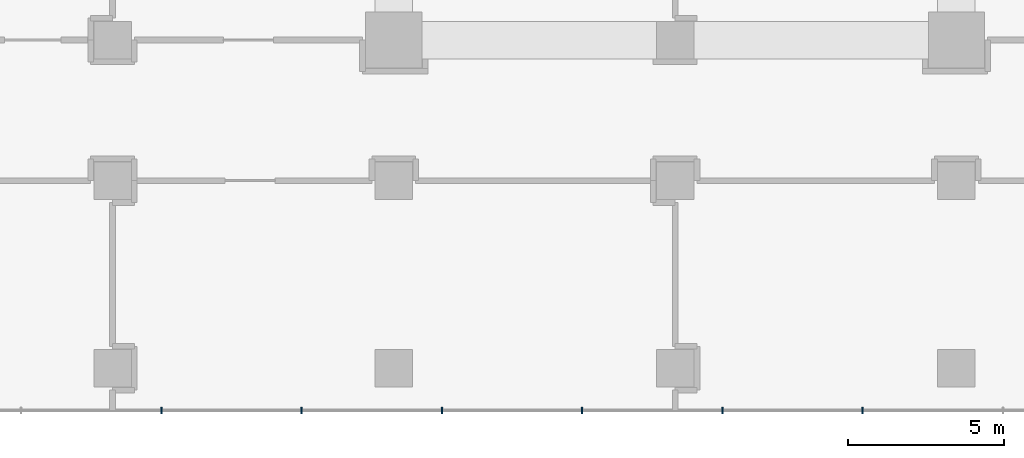
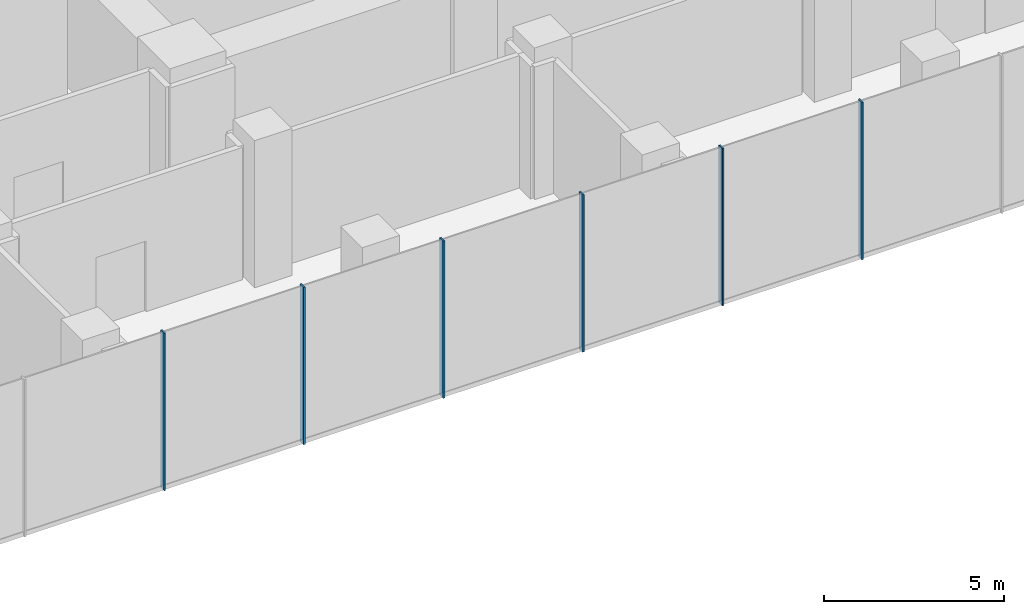
# One storey, part 4 of 36: 6 members, 1 element without a shape of its own.
"""IFC4 building model written with IfcOpenShell, lengths in metres."""

from ifc_helpers import new_model, si_unit, direction, frame, origin, origin_2d, place, context, subcontext, project, spatial, rectangle, extrude, material, layer, layer_set, material_profile, profile_set, type_object, element, aggregate, save


model = new_model("IFC4")

# Units and contexts
model_context = context("Model", 3, precision=1e-05, world=origin(), true_north=direction((0.0, 1.0)))
body_context = subcontext(model_context, "Body", "Model", "MODEL_VIEW")
ifc_project = project(units=[si_unit("LENGTHUNIT", "METRE"), si_unit("AREAUNIT", "SQUARE_METRE"), si_unit("VOLUMEUNIT", "CUBIC_METRE"), si_unit("PLANEANGLEUNIT", "RADIAN"), si_unit("MASSUNIT", "GRAM", prefix="KILO")], contexts=[model_context])

# Site, building, storey
site_placement = place(None, origin())
site = spatial("IfcSite", under=ifc_project, at=site_placement, CompositionType="ELEMENT")
building_placement = place(site_placement, origin())
building = spatial("IfcBuilding", under=site, at=building_placement, Name="Plateau Cross Towers", CompositionType="ELEMENT")
storey_placement = place(building_placement, frame((0.0, 0.0, 21.800048828125)))
storey = spatial("IfcBuildingStorey", under=building, at=storey_placement, Name="L04", CompositionType="ELEMENT", Elevation=21.800048828125)

# Curtain wall, members
ifc_material_1 = material(Name="Dark low-iron laminated glass", Category="glass")
ifc_layer = layer(ifc_material_1, 0.300048828125)
ifc_layer_set = layer_set([ifc_layer], Name="Dark low-iron laminated glass")
curtain_wall_type = type_object("IfcCurtainWallType", Name="Curtain wall structural silicone CW-C", PredefinedType="NOTDEFINED", material=ifc_layer_set)
curtain_wall_placement = place(storey_placement, origin())
curtain_wall = element("IfcCurtainWall", 1, at=curtain_wall_placement, inside=storey, type_object=curtain_wall_type, Name="ENV/P/L04/P-28_-118", PredefinedType="NOTDEFINED")
ifc_material_2 = material(Name="Black anodised aluminium", Category="aluminium")
ifc_material_profile = material_profile(ifc_material_2, rectangle(XDim=0.050048828125, YDim=0.199951171875, at=origin_2d()), Name="MULLION 50x200")
ifc_profile_set = profile_set([ifc_material_profile], Name="Black anodised aluminium")
member_type = type_object("IfcMemberType", Name="Mullion 50x200 structural silicone", PredefinedType="MULLION", material=ifc_profile_set)
member_1_placement = place(storey_placement, frame((28.5625, -11.85009765625, -0.35009765625), z_axis=(0.0, 0.0, 1.0), x_axis=(1.0, 0.0, 0.0)))
member_1 = element("IfcMember", 2, at=member_1_placement, type_object=member_type, Name="CW-C mullion 8", PredefinedType="MULLION", context=body_context, shape_type="SweptSolid", body=[
    extrude(rectangle(XDim=0.050048828125, YDim=0.199951171875, at=origin_2d()), origin(), (0.0, 0.0, 1.0), 5.35009765625),
])
member_2_placement = place(storey_placement, frame((33.050048828125, -11.85009765625, -0.35009765625), z_axis=(0.0, 0.0, 1.0), x_axis=(1.0, 0.0, 0.0)))
member_2 = element("IfcMember", 3, at=member_2_placement, type_object=member_type, Name="CW-C mullion 9", PredefinedType="MULLION", context=body_context, shape_type="SweptSolid", body=[
    extrude(rectangle(XDim=0.050048828125, YDim=0.199951171875, at=origin_2d()), origin(), (0.0, 0.0, 1.0), 5.35009765625),
])
member_3_placement = place(storey_placement, frame((37.53759765625, -11.85009765625, -0.35009765625), z_axis=(0.0, 0.0, 1.0), x_axis=(1.0, 0.0, 0.0)))
member_3 = element("IfcMember", 4, at=member_3_placement, type_object=member_type, Name="CW-C mullion 10", PredefinedType="MULLION", context=body_context, shape_type="SweptSolid", body=[
    extrude(rectangle(XDim=0.050048828125, YDim=0.199951171875, at=origin_2d()), origin(), (0.0, 0.0, 1.0), 5.35009765625),
])
member_4_placement = place(storey_placement, frame((42.02490234375, -11.85009765625, -0.35009765625), z_axis=(0.0, 0.0, 1.0), x_axis=(1.0, 0.0, 0.0)))
member_4 = element("IfcMember", 5, at=member_4_placement, type_object=member_type, Name="CW-C mullion 11", PredefinedType="MULLION", context=body_context, shape_type="SweptSolid", body=[
    extrude(rectangle(XDim=0.050048828125, YDim=0.199951171875, at=origin_2d()), origin(), (0.0, 0.0, 1.0), 5.35009765625),
])
member_5_placement = place(storey_placement, frame((46.512451171875, -11.85009765625, -0.35009765625), z_axis=(0.0, 0.0, 1.0), x_axis=(1.0, 0.0, 0.0)))
member_5 = element("IfcMember", 6, at=member_5_placement, type_object=member_type, Name="CW-C mullion 12", PredefinedType="MULLION", context=body_context, shape_type="SweptSolid", body=[
    extrude(rectangle(XDim=0.050048828125, YDim=0.199951171875, at=origin_2d()), origin(), (0.0, 0.0, 1.0), 5.35009765625),
])
member_6_placement = place(storey_placement, frame((51.0, -11.85009765625, -0.35009765625), z_axis=(0.0, 0.0, 1.0), x_axis=(1.0, 0.0, 0.0)))
member_6 = element("IfcMember", 7, at=member_6_placement, type_object=member_type, Name="CW-C mullion 13", PredefinedType="MULLION", context=body_context, shape_type="SweptSolid", body=[
    extrude(rectangle(XDim=0.050048828125, YDim=0.199951171875, at=origin_2d()), origin(), (0.0, 0.0, 1.0), 5.35009765625),
])
aggregate(curtain_wall, [member_1, member_2, member_3, member_4, member_5, member_6])

save(model, "model.ifc")
